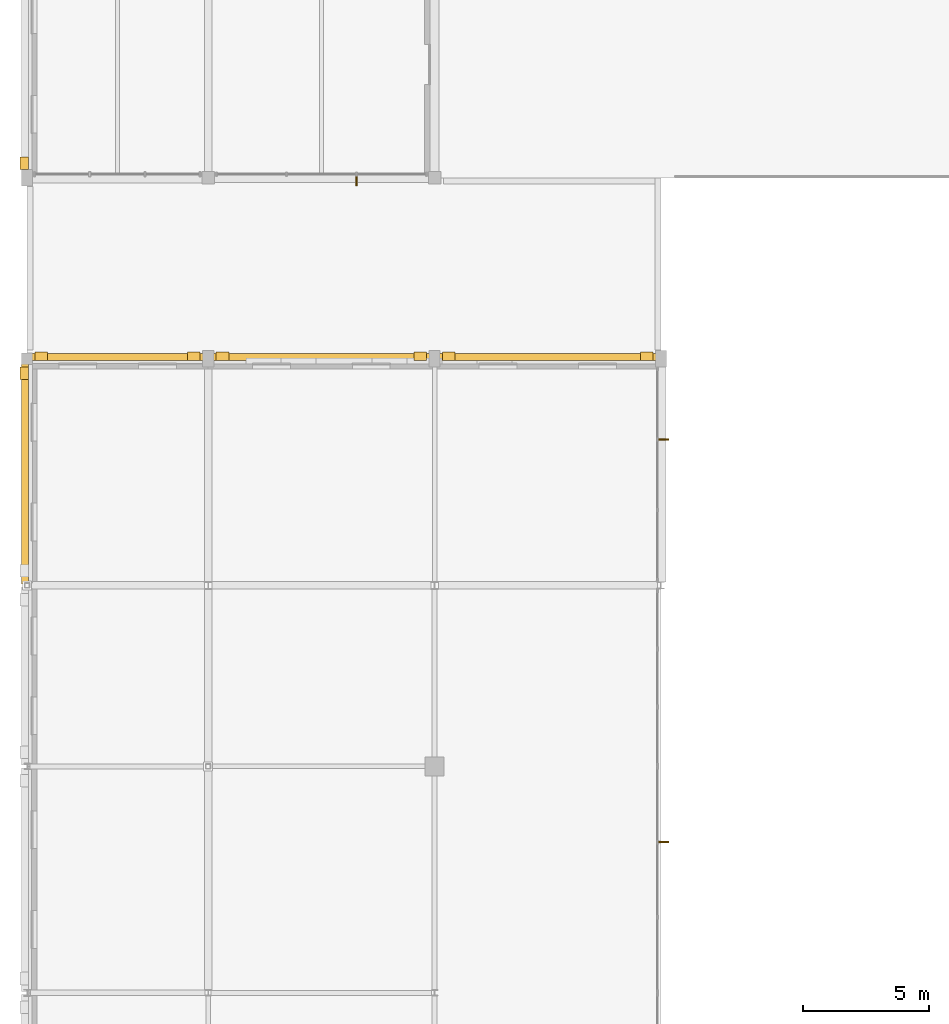
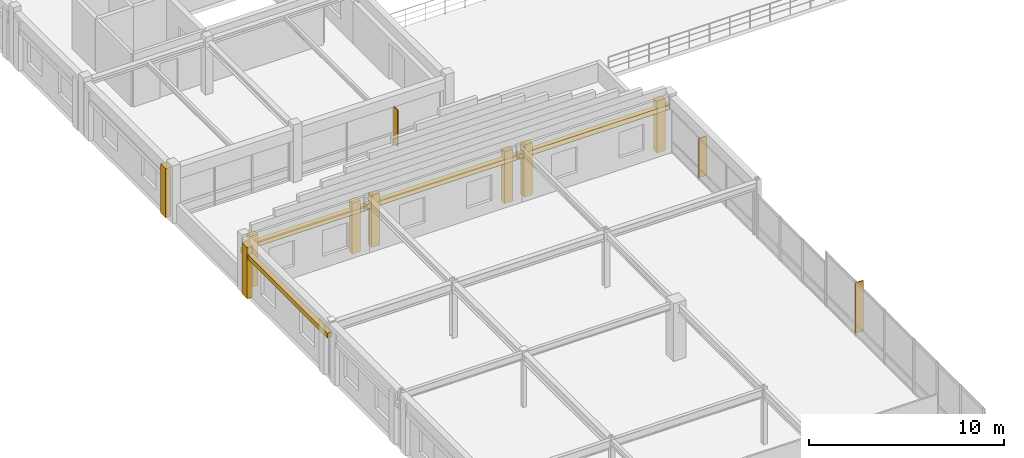
# One storey, part 59 of 74: 12 coverings, 3 shading devices.
"""IFC4 building model written with IfcOpenShell, lengths in metres."""

from ifc_helpers import new_model, si_unit, direction, frame, frame_2d, origin, place, context, subcontext, project, spatial, rectangle, extrude, material, layer, layer_set, type_object, element, save


model = new_model("IFC4")

# Units and contexts
model_context = context("Model", 3, precision=1e-05, world=origin(), true_north=direction((0.0, 1.0)))
body_context = subcontext(model_context, "Body", "Model", "MODEL_VIEW")
ifc_project = project(units=[si_unit("LENGTHUNIT", "METRE"), si_unit("AREAUNIT", "SQUARE_METRE"), si_unit("VOLUMEUNIT", "CUBIC_METRE"), si_unit("PLANEANGLEUNIT", "RADIAN"), si_unit("MASSUNIT", "GRAM", prefix="KILO")], contexts=[model_context])

# Site, building, storey
site_placement = place(None, origin())
site = spatial("IfcSite", under=ifc_project, at=site_placement, CompositionType="ELEMENT")
building_placement = place(site_placement, origin())
building = spatial("IfcBuilding", under=site, at=building_placement, Name="Clarverna Civic Hall", CompositionType="ELEMENT")
storey_placement = place(building_placement, frame((0.0, 0.0, 13.199951171875)))
storey = spatial("IfcBuildingStorey", under=building, at=storey_placement, Name="L03", CompositionType="ELEMENT", Elevation=13.199951171875)

# Coverings
ifc_material_1 = material(Name="Montjuic Buff Limestone Ashlar Cladding", Category="masonry")
ifc_layer_1 = layer(ifc_material_1, 0.070068359375)
ifc_layer_set_1 = layer_set([ifc_layer_1], Name="Montjuic Buff Limestone Ashlar Cladding")
covering_type = type_object("IfcCoveringType", Name="CV-CL2", PredefinedType="CLADDING", material=ifc_layer_set_1)
covering_1_placement = place(storey_placement, frame((-0.110107421875, 62.919921875, 0.0), z_axis=(0.0, 0.0, 1.0), x_axis=(0.0, 1.0, 0.0)))
element("IfcCovering", 1, at=covering_1_placement, inside=storey, type_object=covering_type, Name="CV-CL2-648", PredefinedType="CLADDING", context=body_context, shape_type="SweptSolid", body=[
    extrude(rectangle(XDim=0.5, YDim=0.340087890625, at=frame_2d((0.25, 0.0))), origin(), (0.0, 0.0, 1.0), 3.06005859375),
])
covering_2_placement = place(storey_placement, frame((-0.080078125, 46.4599609375, 2.43994140625), z_axis=(0.0, 0.0, 1.0), x_axis=(0.0, 1.0, 0.0)))
element("IfcCovering", 2, at=covering_2_placement, inside=storey, type_object=covering_type, Name="CV-CL2-710", PredefinedType="CLADDING", context=body_context, shape_type="SweptSolid", body=[
    extrude(rectangle(XDim=8.880126953125, YDim=0.280029296875, at=frame_2d((4.43994140625, 0.0))), origin(), (0.0, 0.0, 1.0), 0.300048828125),
])
covering_3_placement = place(storey_placement, frame((-0.110107421875, 54.580078125, 0.0), z_axis=(0.0, 0.0, 1.0), x_axis=(0.0, 1.0, 0.0)))
element("IfcCovering", 3, at=covering_3_placement, inside=storey, type_object=covering_type, Name="CV-CL2-712", PredefinedType="CLADDING", context=body_context, shape_type="SweptSolid", body=[
    extrude(rectangle(XDim=0.5, YDim=0.340087890625, at=frame_2d((0.25, 0.0))), origin(), (0.0, 0.0, 1.0), 3.199951171875),
])
covering_4_placement = place(storey_placement, frame((0.06005859375, 55.47998046875, 2.43994140625), z_axis=(0.0, 0.0, 1.0), x_axis=(1.0, 0.0, 0.0)))
element("IfcCovering", 4, at=covering_4_placement, inside=storey, type_object=covering_type, Name="CV-CL2-713", PredefinedType="CLADDING", context=body_context, shape_type="SweptSolid", body=[
    extrude(rectangle(XDim=7.079833984375, YDim=0.280029296875, at=frame_2d((3.5400390625, 0.0))), origin(), (0.0, 0.0, 1.0), 0.300048828125),
])
for number, where, z_axis, x_axis, name in (
    (5, (0.320068359375, 55.510009765625, 0.0), (0.0, 0.0, 1.0), (1.0, 0.0, 0.0), "CV-CL2-714"),
    (6, (6.3798828125, 55.510009765625, 0.0), (0.0, 0.0, 1.0), (1.0, 0.0, 0.0), "CV-CL2-715"),
):
    element("IfcCovering", number, at=place(storey_placement, frame(where, z_axis=z_axis, x_axis=x_axis)), inside=storey, type_object=covering_type, Name=name, PredefinedType="CLADDING", context=body_context, shape_type="SweptSolid", body=[
        extrude(rectangle(XDim=0.5, YDim=0.340087890625, at=frame_2d((0.25, 0.0))), origin(), (0.0, 0.0, 1.0), 3.199951171875),
    ])
covering_5_placement = place(storey_placement, frame((7.260009765625, 55.47998046875, 2.47998046875), z_axis=(0.0, 0.0, 1.0), x_axis=(1.0, 0.0, 0.0)))
element("IfcCovering", 7, at=covering_5_placement, inside=storey, type_object=covering_type, Name="CV-CL2-716", PredefinedType="CLADDING", context=body_context, shape_type="SweptSolid", body=[
    extrude(rectangle(XDim=8.8798828125, YDim=0.280029296875, at=frame_2d((4.43994140625, 0.0))), origin(), (0.0, 0.0, 1.0), 0.300048828125),
])
for number, where, z_axis, x_axis, name in (
    (8, (7.52001953125, 55.510009765625, 0.0), (0.0, 0.0, 1.0), (1.0, 0.0, 0.0), "CV-CL2-717"),
    (9, (15.3798828125, 55.510009765625, 0.0), (0.0, 0.0, 1.0), (1.0, 0.0, 0.0), "CV-CL2-718"),
):
    element("IfcCovering", number, at=place(storey_placement, frame(where, z_axis=z_axis, x_axis=x_axis)), inside=storey, type_object=covering_type, Name=name, PredefinedType="CLADDING", context=body_context, shape_type="SweptSolid", body=[
        extrude(rectangle(XDim=0.5, YDim=0.340087890625, at=frame_2d((0.25, 0.0))), origin(), (0.0, 0.0, 1.0), 3.239990234375),
    ])
covering_6_placement = place(storey_placement, frame((16.260009765625, 55.47998046875, 2.47998046875), z_axis=(0.0, 0.0, 1.0), x_axis=(1.0, 0.0, 0.0)))
element("IfcCovering", 10, at=covering_6_placement, inside=storey, type_object=covering_type, Name="CV-CL2-719", PredefinedType="CLADDING", context=body_context, shape_type="SweptSolid", body=[
    extrude(rectangle(XDim=8.8798828125, YDim=0.280029296875, at=frame_2d((4.43994140625, 0.0))), origin(), (0.0, 0.0, 1.0), 0.300048828125),
])
for number, where, z_axis, x_axis, name in (
    (11, (16.52001953125, 55.510009765625, 0.0), (0.0, 0.0, 1.0), (1.0, 0.0, 0.0), "CV-CL2-720"),
    (12, (24.3798828125, 55.510009765625, 0.0), (0.0, 0.0, 1.0), (1.0, 0.0, 0.0), "CV-CL2-721"),
):
    element("IfcCovering", number, at=place(storey_placement, frame(where, z_axis=z_axis, x_axis=x_axis)), inside=storey, type_object=covering_type, Name=name, PredefinedType="CLADDING", context=body_context, shape_type="SweptSolid", body=[
        extrude(rectangle(XDim=0.5, YDim=0.340087890625, at=frame_2d((0.25, 0.0))), origin(), (0.0, 0.0, 1.0), 3.239990234375),
    ])

# Shading devices
ifc_material_2 = material(Name="Anodised Bronze Architectural Solar Fin", Category="aluminium")
ifc_layer_2 = layer(ifc_material_2, 0.054931640625)
ifc_layer_set_2 = layer_set([ifc_layer_2], Name="Anodised Bronze Architectural Solar Fin")
shading_device_type = type_object("IfcShadingDeviceType", Name="SD-FN1", PredefinedType="USERDEFINED", material=ifc_layer_set_2)
shading_device_1_placement = place(storey_placement, frame((13.09228515625, 62.77001953125, 0.150146484375), z_axis=(0.0, 0.0, 1.0), x_axis=(0.0, -1.0, 0.0)))
element("IfcShadingDevice", 13, at=shading_device_1_placement, inside=storey, type_object=shading_device_type, Name="SD-FN1-044", ObjectType="FIN", PredefinedType="USERDEFINED", context=body_context, shape_type="SweptSolid", body=[
    extrude(rectangle(XDim=0.47998046875, YDim=0.054931640625, at=frame_2d((0.239990234375, 0.0))), origin(), (0.0, 0.0, 1.0), 2.27978515625),
])
shading_device_2_placement = place(storey_placement, frame((25.030029296875, 52.202392578125, 0.150146484375), z_axis=(0.0, 0.0, 1.0), x_axis=(1.0, 0.0, 0.0)))
element("IfcShadingDevice", 14, at=shading_device_2_placement, inside=storey, type_object=shading_device_type, Name="SD-FN1-045", ObjectType="FIN", PredefinedType="USERDEFINED", context=body_context, shape_type="SweptSolid", body=[
    extrude(rectangle(XDim=0.47998046875, YDim=0.054931640625, at=frame_2d((0.239990234375, 0.0))), origin(), (0.0, 0.0, 1.0), 2.4599609375),
])
shading_device_3_placement = place(storey_placement, frame((25.030029296875, 36.18896484375, 0.150146484375), z_axis=(0.0, 0.0, 1.0), x_axis=(1.0, 0.0, 0.0)))
element("IfcShadingDevice", 15, at=shading_device_3_placement, inside=storey, type_object=shading_device_type, Name="SD-FN1-046", ObjectType="FIN", PredefinedType="USERDEFINED", context=body_context, shape_type="SweptSolid", body=[
    extrude(rectangle(XDim=0.47998046875, YDim=0.054931640625, at=frame_2d((0.239990234375, 0.0))), origin(), (0.0, 0.0, 1.0), 3.139892578125),
])

save(model, "model.ifc")
